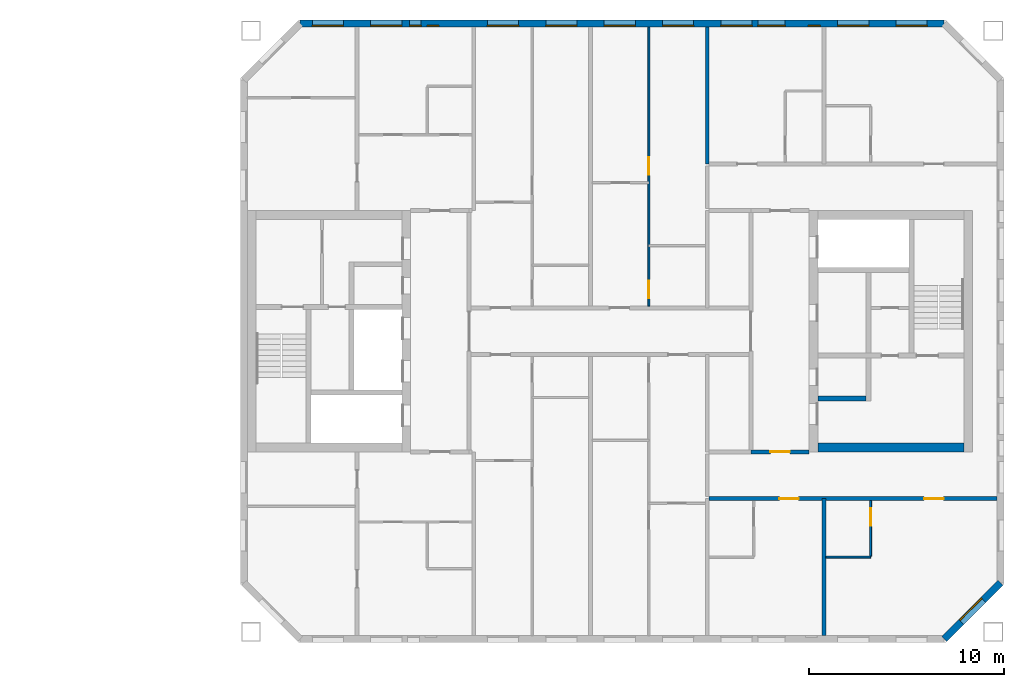
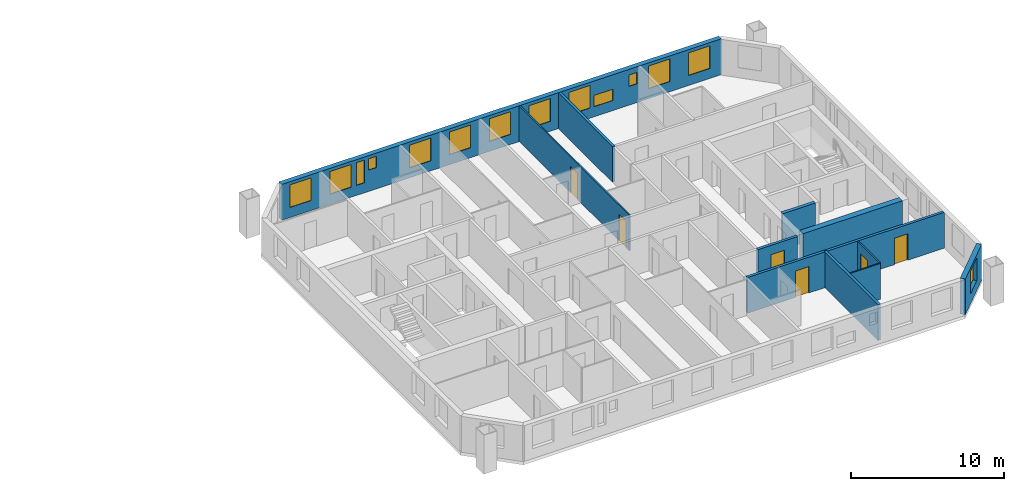
# One storey, part 12 of 16: 14 windows, 11 walls, 6 doors, 20 openings.
"""IFC4 building model written with IfcOpenShell, lengths in metres."""

from ifc_helpers import new_model, si_unit, direction, frame, frame_2d, origin, place, context, subcontext, project, spatial, rectangle, extrude, material, layer, layer_set, type_object, element, fill, save


model = new_model("IFC4")

# Units and contexts
model_context = context("Model", 3, precision=1e-05, world=origin(), true_north=direction((0.0, 1.0)))
body_context = subcontext(model_context, "Body", "Model", "MODEL_VIEW")
ifc_project = project(units=[si_unit("LENGTHUNIT", "METRE"), si_unit("AREAUNIT", "SQUARE_METRE"), si_unit("VOLUMEUNIT", "CUBIC_METRE"), si_unit("PLANEANGLEUNIT", "RADIAN"), si_unit("MASSUNIT", "GRAM", prefix="KILO")], contexts=[model_context])

# Site, building, storey
site_placement = place(None, origin())
site = spatial("IfcSite", under=ifc_project, at=site_placement, CompositionType="ELEMENT")
building_placement = place(site_placement, origin())
building = spatial("IfcBuilding", under=site, at=building_placement, Name="Tuart Gate Housing", CompositionType="ELEMENT")
storey_placement = place(building_placement, frame((0.0, 0.0, 182.0)))
storey = spatial("IfcBuildingStorey", under=building, at=storey_placement, Name="L51", CompositionType="ELEMENT", Elevation=182.0)

# Wall, opening, window
ifc_material_1 = material(Name="Brick", Category="masonry")
ifc_layer_1 = layer(ifc_material_1, 0.360107421875)
ifc_layer_set_1 = layer_set([ifc_layer_1], Name="Brick pier and spandrel wall 360")
wall_type_1 = type_object("IfcWallType", Name="Brick pier and spandrel wall 360", PredefinedType="STANDARD", material=ifc_layer_set_1)
wall_1_placement = place(storey_placement, frame((167.17529296875, 54.179931640625, 0.0), z_axis=(0.0, 0.0, 1.0), x_axis=(0.707106781187, 0.707106781187, 0.0)))
wall_1 = element("IfcWall", 1, at=wall_1_placement, inside=storey, type_object=wall_type_1, Name="External wall B-SE L51", PredefinedType="STANDARD", context=body_context, shape_type="SweptSolid", body=[
    extrude(rectangle(XDim=4.09375, YDim=0.360107421875, at=frame_2d((2.046875, 0.0))), origin(), (0.0, 0.0, 1.0), 2.85009765625),
])
opening_1_placement = place(wall_1_placement, frame((1.2470703125, 0.0, 0.800048828125)))
opening_1 = element("IfcOpeningElement", 2, at=opening_1_placement, cuts=wall_1, Name="Opening W1", PredefinedType="OPENING", context=body_context, shape_type="SweptSolid", body=[
    extrude(rectangle(XDim=1.60009765625, YDim=1.800048828125, at=frame_2d((0.800048828125, 0.89990234375))), frame((0.0, 0.18994140625, 0.0), z_axis=(0.0, -1.0, 0.0), x_axis=(1.0, 0.0, 0.0)), (0.0, 0.0, 1.0), 0.380126953125),
])
ifc_material_2 = material(Name="Aluminium frame with clear glass", Category="aluminium")
window_type_1 = type_object("IfcWindowType", Name="Punched window 1600 x 1800", PartitioningType="SINGLE_PANEL", PredefinedType="WINDOW", material=ifc_material_2)
window_1_placement = place(opening_1_placement, origin())
window_1 = element("IfcWindow", 3, at=window_1_placement, inside=storey, type_object=window_type_1, Name="Window W1", OverallHeight=1.800048828125, OverallWidth=1.60009765625, PartitioningType="SINGLE_PANEL", PredefinedType="WINDOW", context=body_context, shape_type="SweptSolid", body=[
    extrude(rectangle(XDim=1.60009765625, YDim=1.800048828125, at=frame_2d((0.800048828125, 0.89990234375))), frame((0.0, 0.150146484375, 0.0), z_axis=(0.0, -1.0, 0.0), x_axis=(1.0, 0.0, 0.0)), (0.0, 0.0, 1.0), 0.06005859375),
])
fill(opening_1, window_1)

# Wall, openings, windows
wall_2_placement = place(storey_placement, frame((167.17529296875, 85.820068359375, 0.0), z_axis=(0.0, 0.0, 1.0), x_axis=(-1.0, 0.0, 0.0)))
wall_2 = element("IfcWall", 4, at=wall_2_placement, inside=storey, type_object=wall_type_1, Name="External wall B-N L51", PredefinedType="STANDARD", context=body_context, shape_type="SweptSolid", body=[
    extrude(rectangle(XDim=33.100830078125, YDim=0.360107421875, at=frame_2d((16.55029296875, 0.0))), origin(), (0.0, 0.0, 1.0), 2.85009765625),
])
opening_2_placement = place(wall_2_placement, frame((0.87548828125, 0.0, 0.800048828125)))
opening_2 = element("IfcOpeningElement", 5, at=opening_2_placement, cuts=wall_2, Name="Opening W1", PredefinedType="OPENING", context=body_context, shape_type="SweptSolid", body=[
    extrude(rectangle(XDim=1.60009765625, YDim=1.800048828125, at=frame_2d((0.800048828125, 0.89990234375))), frame((0.0, 0.18994140625, 0.0), z_axis=(0.0, -1.0, 0.0), x_axis=(1.0, 0.0, 0.0)), (0.0, 0.0, 1.0), 0.380126953125),
])
opening_3_placement = place(wall_2_placement, frame((3.87548828125, 0.0, 0.800048828125)))
opening_3 = element("IfcOpeningElement", 6, at=opening_3_placement, cuts=wall_2, Name="Opening W1", PredefinedType="OPENING", context=body_context, shape_type="SweptSolid", body=[
    extrude(rectangle(XDim=1.60009765625, YDim=1.800048828125, at=frame_2d((0.800048828125, 0.89990234375))), frame((0.0, 0.18994140625, 0.0), z_axis=(0.0, -1.0, 0.0), x_axis=(1.0, 0.0, 0.0)), (0.0, 0.0, 1.0), 0.380126953125),
])
opening_4_placement = place(wall_2_placement, frame((6.37548828125, 0.0, 1.5)))
opening_4 = element("IfcOpeningElement", 7, at=opening_4_placement, cuts=wall_2, Name="Opening W1W", PredefinedType="OPENING", context=body_context, shape_type="SweptSolid", body=[
    extrude(rectangle(XDim=0.60009765625, YDim=0.89990234375, at=frame_2d((0.300048828125, 0.449951171875))), frame((0.0, 0.18994140625, 0.0), z_axis=(0.0, -1.0, 0.0), x_axis=(1.0, 0.0, 0.0)), (0.0, 0.0, 1.0), 0.380126953125),
])
opening_5_placement = place(wall_2_placement, frame((9.87548828125, 0.0, 0.800048828125)))
opening_5 = element("IfcOpeningElement", 8, at=opening_5_placement, cuts=wall_2, Name="Opening W1", PredefinedType="OPENING", context=body_context, shape_type="SweptSolid", body=[
    extrude(rectangle(XDim=1.60009765625, YDim=1.800048828125, at=frame_2d((0.800048828125, 0.89990234375))), frame((0.0, 0.18994140625, 0.0), z_axis=(0.0, -1.0, 0.0), x_axis=(1.0, 0.0, 0.0)), (0.0, 0.0, 1.0), 0.380126953125),
])
opening_6_placement = place(wall_2_placement, frame((12.87548828125, 0.0, 0.800048828125)))
opening_6 = element("IfcOpeningElement", 9, at=opening_6_placement, cuts=wall_2, Name="Opening W1", PredefinedType="OPENING", context=body_context, shape_type="SweptSolid", body=[
    extrude(rectangle(XDim=1.60009765625, YDim=1.800048828125, at=frame_2d((0.800048828125, 0.89990234375))), frame((0.0, 0.18994140625, 0.0), z_axis=(0.0, -1.0, 0.0), x_axis=(1.0, 0.0, 0.0)), (0.0, 0.0, 1.0), 0.380126953125),
])
opening_7_placement = place(wall_2_placement, frame((15.87548828125, 0.0, 0.800048828125)))
opening_7 = element("IfcOpeningElement", 10, at=opening_7_placement, cuts=wall_2, Name="Opening W1", PredefinedType="OPENING", context=body_context, shape_type="SweptSolid", body=[
    extrude(rectangle(XDim=1.60009765625, YDim=1.800048828125, at=frame_2d((0.800048828125, 0.89990234375))), frame((0.0, 0.18994140625, 0.0), z_axis=(0.0, -1.0, 0.0), x_axis=(1.0, 0.0, 0.0)), (0.0, 0.0, 1.0), 0.380126953125),
])
opening_8_placement = place(wall_2_placement, frame((18.87548828125, 0.0, 0.800048828125)))
opening_8 = element("IfcOpeningElement", 11, at=opening_8_placement, cuts=wall_2, Name="Opening W1", PredefinedType="OPENING", context=body_context, shape_type="SweptSolid", body=[
    extrude(rectangle(XDim=1.60009765625, YDim=1.800048828125, at=frame_2d((0.800048828125, 0.89990234375))), frame((0.0, 0.18994140625, 0.0), z_axis=(0.0, -1.0, 0.0), x_axis=(1.0, 0.0, 0.0)), (0.0, 0.0, 1.0), 0.380126953125),
])
opening_9_placement = place(wall_2_placement, frame((21.87548828125, 0.0, 0.800048828125)))
opening_9 = element("IfcOpeningElement", 12, at=opening_9_placement, cuts=wall_2, Name="Opening W1", PredefinedType="OPENING", context=body_context, shape_type="SweptSolid", body=[
    extrude(rectangle(XDim=1.60009765625, YDim=1.800048828125, at=frame_2d((0.800048828125, 0.89990234375))), frame((0.0, 0.18994140625, 0.0), z_axis=(0.0, -1.0, 0.0), x_axis=(1.0, 0.0, 0.0)), (0.0, 0.0, 1.0), 0.380126953125),
])
opening_10_placement = place(wall_2_placement, frame((25.975341796875, 0.0, 1.699951171875)))
opening_10 = element("IfcOpeningElement", 13, at=opening_10_placement, cuts=wall_2, Name="Opening W1W", PredefinedType="OPENING", context=body_context, shape_type="SweptSolid", body=[
    extrude(rectangle(XDim=0.60009765625, YDim=0.89990234375, at=frame_2d((0.300048828125, 0.449951171875))), frame((0.0, 0.18994140625, 0.0), z_axis=(0.0, -1.0, 0.0), x_axis=(1.0, 0.0, 0.0)), (0.0, 0.0, 1.0), 0.380126953125),
])
opening_11_placement = place(wall_2_placement, frame((27.87548828125, 0.0, 0.800048828125)))
opening_11 = element("IfcOpeningElement", 14, at=opening_11_placement, cuts=wall_2, Name="Opening W1", PredefinedType="OPENING", context=body_context, shape_type="SweptSolid", body=[
    extrude(rectangle(XDim=1.60009765625, YDim=1.800048828125, at=frame_2d((0.800048828125, 0.89990234375))), frame((0.0, 0.18994140625, 0.0), z_axis=(0.0, -1.0, 0.0), x_axis=(1.0, 0.0, 0.0)), (0.0, 0.0, 1.0), 0.380126953125),
])
opening_12_placement = place(wall_2_placement, frame((30.87548828125, 0.0, 0.800048828125)))
opening_12 = element("IfcOpeningElement", 15, at=opening_12_placement, cuts=wall_2, Name="Opening W1", PredefinedType="OPENING", context=body_context, shape_type="SweptSolid", body=[
    extrude(rectangle(XDim=1.60009765625, YDim=1.800048828125, at=frame_2d((0.800048828125, 0.89990234375))), frame((0.0, 0.18994140625, 0.0), z_axis=(0.0, -1.0, 0.0), x_axis=(1.0, 0.0, 0.0)), (0.0, 0.0, 1.0), 0.380126953125),
])
opening_13_placement = place(wall_2_placement, frame((8.17529296875, 0.0, 0.800048828125)))
opening_13 = element("IfcOpeningElement", 16, at=opening_13_placement, cuts=wall_2, Name="Opening W1S", PredefinedType="OPENING", context=body_context, shape_type="SweptSolid", body=[
    extrude(rectangle(XDim=1.39990234375, YDim=0.89990234375, at=frame_2d((0.699951171875, 0.449951171875))), frame((0.0, 0.18994140625, 0.0), z_axis=(0.0, -1.0, 0.0), x_axis=(1.0, 0.0, 0.0)), (0.0, 0.0, 1.0), 0.380126953125),
])
opening_14_placement = place(wall_2_placement, frame((26.87548828125, 0.0, 0.800048828125)))
opening_14 = element("IfcOpeningElement", 17, at=opening_14_placement, cuts=wall_2, Name="Opening W1E", PredefinedType="OPENING", context=body_context, shape_type="SweptSolid", body=[
    extrude(rectangle(XDim=0.60009765625, YDim=1.800048828125, at=frame_2d((0.300048828125, 0.89990234375))), frame((0.0, 0.18994140625, 0.0), z_axis=(0.0, -1.0, 0.0), x_axis=(1.0, 0.0, 0.0)), (0.0, 0.0, 1.0), 0.380126953125),
])
ifc_material_3 = material(Name="Aluminium frame with clear glass", Category="aluminium")
window_type_2 = type_object("IfcWindowType", Name="Punched window 1400 x 900", PartitioningType="SINGLE_PANEL", PredefinedType="WINDOW", material=ifc_material_3)
window_2_placement = place(opening_13_placement, origin())
window_2 = element("IfcWindow", 18, at=window_2_placement, inside=storey, type_object=window_type_2, Name="Window W1S", OverallHeight=0.89990234375, OverallWidth=1.39990234375, PartitioningType="SINGLE_PANEL", PredefinedType="WINDOW", context=body_context, shape_type="SweptSolid", body=[
    extrude(rectangle(XDim=1.39990234375, YDim=0.89990234375, at=frame_2d((0.699951171875, 0.449951171875))), frame((0.0, 0.150146484375, 0.0), z_axis=(0.0, -1.0, 0.0), x_axis=(1.0, 0.0, 0.0)), (0.0, 0.0, 1.0), 0.06005859375),
])
fill(opening_13, window_2)
window_3_placement = place(opening_2_placement, origin())
window_3 = element("IfcWindow", 19, at=window_3_placement, inside=storey, type_object=window_type_1, Name="Window W1", OverallHeight=1.800048828125, OverallWidth=1.60009765625, PartitioningType="SINGLE_PANEL", PredefinedType="WINDOW", context=body_context, shape_type="SweptSolid", body=[
    extrude(rectangle(XDim=1.60009765625, YDim=1.800048828125, at=frame_2d((0.800048828125, 0.89990234375))), frame((0.0, 0.150146484375, 0.0), z_axis=(0.0, -1.0, 0.0), x_axis=(1.0, 0.0, 0.0)), (0.0, 0.0, 1.0), 0.06005859375),
])
fill(opening_2, window_3)
window_4_placement = place(opening_3_placement, origin())
window_4 = element("IfcWindow", 20, at=window_4_placement, inside=storey, type_object=window_type_1, Name="Window W1", OverallHeight=1.800048828125, OverallWidth=1.60009765625, PartitioningType="SINGLE_PANEL", PredefinedType="WINDOW", context=body_context, shape_type="SweptSolid", body=[
    extrude(rectangle(XDim=1.60009765625, YDim=1.800048828125, at=frame_2d((0.800048828125, 0.89990234375))), frame((0.0, 0.150146484375, 0.0), z_axis=(0.0, -1.0, 0.0), x_axis=(1.0, 0.0, 0.0)), (0.0, 0.0, 1.0), 0.06005859375),
])
fill(opening_3, window_4)
window_5_placement = place(opening_5_placement, origin())
window_5 = element("IfcWindow", 21, at=window_5_placement, inside=storey, type_object=window_type_1, Name="Window W1", OverallHeight=1.800048828125, OverallWidth=1.60009765625, PartitioningType="SINGLE_PANEL", PredefinedType="WINDOW", context=body_context, shape_type="SweptSolid", body=[
    extrude(rectangle(XDim=1.60009765625, YDim=1.800048828125, at=frame_2d((0.800048828125, 0.89990234375))), frame((0.0, 0.150146484375, 0.0), z_axis=(0.0, -1.0, 0.0), x_axis=(1.0, 0.0, 0.0)), (0.0, 0.0, 1.0), 0.06005859375),
])
fill(opening_5, window_5)
window_6_placement = place(opening_6_placement, origin())
window_6 = element("IfcWindow", 22, at=window_6_placement, inside=storey, type_object=window_type_1, Name="Window W1", OverallHeight=1.800048828125, OverallWidth=1.60009765625, PartitioningType="SINGLE_PANEL", PredefinedType="WINDOW", context=body_context, shape_type="SweptSolid", body=[
    extrude(rectangle(XDim=1.60009765625, YDim=1.800048828125, at=frame_2d((0.800048828125, 0.89990234375))), frame((0.0, 0.150146484375, 0.0), z_axis=(0.0, -1.0, 0.0), x_axis=(1.0, 0.0, 0.0)), (0.0, 0.0, 1.0), 0.06005859375),
])
fill(opening_6, window_6)
window_7_placement = place(opening_7_placement, origin())
window_7 = element("IfcWindow", 23, at=window_7_placement, inside=storey, type_object=window_type_1, Name="Window W1", OverallHeight=1.800048828125, OverallWidth=1.60009765625, PartitioningType="SINGLE_PANEL", PredefinedType="WINDOW", context=body_context, shape_type="SweptSolid", body=[
    extrude(rectangle(XDim=1.60009765625, YDim=1.800048828125, at=frame_2d((0.800048828125, 0.89990234375))), frame((0.0, 0.150146484375, 0.0), z_axis=(0.0, -1.0, 0.0), x_axis=(1.0, 0.0, 0.0)), (0.0, 0.0, 1.0), 0.06005859375),
])
fill(opening_7, window_7)
window_8_placement = place(opening_8_placement, origin())
window_8 = element("IfcWindow", 24, at=window_8_placement, inside=storey, type_object=window_type_1, Name="Window W1", OverallHeight=1.800048828125, OverallWidth=1.60009765625, PartitioningType="SINGLE_PANEL", PredefinedType="WINDOW", context=body_context, shape_type="SweptSolid", body=[
    extrude(rectangle(XDim=1.60009765625, YDim=1.800048828125, at=frame_2d((0.800048828125, 0.89990234375))), frame((0.0, 0.150146484375, 0.0), z_axis=(0.0, -1.0, 0.0), x_axis=(1.0, 0.0, 0.0)), (0.0, 0.0, 1.0), 0.06005859375),
])
fill(opening_8, window_8)
window_9_placement = place(opening_9_placement, origin())
window_9 = element("IfcWindow", 25, at=window_9_placement, inside=storey, type_object=window_type_1, Name="Window W1", OverallHeight=1.800048828125, OverallWidth=1.60009765625, PartitioningType="SINGLE_PANEL", PredefinedType="WINDOW", context=body_context, shape_type="SweptSolid", body=[
    extrude(rectangle(XDim=1.60009765625, YDim=1.800048828125, at=frame_2d((0.800048828125, 0.89990234375))), frame((0.0, 0.150146484375, 0.0), z_axis=(0.0, -1.0, 0.0), x_axis=(1.0, 0.0, 0.0)), (0.0, 0.0, 1.0), 0.06005859375),
])
fill(opening_9, window_9)
window_10_placement = place(opening_11_placement, origin())
window_10 = element("IfcWindow", 26, at=window_10_placement, inside=storey, type_object=window_type_1, Name="Window W1", OverallHeight=1.800048828125, OverallWidth=1.60009765625, PartitioningType="SINGLE_PANEL", PredefinedType="WINDOW", context=body_context, shape_type="SweptSolid", body=[
    extrude(rectangle(XDim=1.60009765625, YDim=1.800048828125, at=frame_2d((0.800048828125, 0.89990234375))), frame((0.0, 0.150146484375, 0.0), z_axis=(0.0, -1.0, 0.0), x_axis=(1.0, 0.0, 0.0)), (0.0, 0.0, 1.0), 0.06005859375),
])
fill(opening_11, window_10)
window_11_placement = place(opening_12_placement, origin())
window_11 = element("IfcWindow", 27, at=window_11_placement, inside=storey, type_object=window_type_1, Name="Window W1", OverallHeight=1.800048828125, OverallWidth=1.60009765625, PartitioningType="SINGLE_PANEL", PredefinedType="WINDOW", context=body_context, shape_type="SweptSolid", body=[
    extrude(rectangle(XDim=1.60009765625, YDim=1.800048828125, at=frame_2d((0.800048828125, 0.89990234375))), frame((0.0, 0.150146484375, 0.0), z_axis=(0.0, -1.0, 0.0), x_axis=(1.0, 0.0, 0.0)), (0.0, 0.0, 1.0), 0.06005859375),
])
fill(opening_12, window_11)
ifc_material_4 = material(Name="Aluminium frame with clear glass", Category="aluminium")
window_type_3 = type_object("IfcWindowType", Name="Punched window 600 x 1800", PartitioningType="SINGLE_PANEL", PredefinedType="WINDOW", material=ifc_material_4)
window_12_placement = place(opening_14_placement, origin())
window_12 = element("IfcWindow", 28, at=window_12_placement, inside=storey, type_object=window_type_3, Name="Window W1E", OverallHeight=1.800048828125, OverallWidth=0.60009765625, PartitioningType="SINGLE_PANEL", PredefinedType="WINDOW", context=body_context, shape_type="SweptSolid", body=[
    extrude(rectangle(XDim=0.60009765625, YDim=1.800048828125, at=frame_2d((0.300048828125, 0.89990234375))), frame((0.0, 0.150146484375, 0.0), z_axis=(0.0, -1.0, 0.0), x_axis=(1.0, 0.0, 0.0)), (0.0, 0.0, 1.0), 0.06005859375),
])
fill(opening_14, window_12)
ifc_material_5 = material(Name="Aluminium frame with clear glass", Category="aluminium")
window_type_4 = type_object("IfcWindowType", Name="Punched window 600 x 900", PartitioningType="SINGLE_PANEL", PredefinedType="WINDOW", material=ifc_material_5)
window_13_placement = place(opening_4_placement, origin())
window_13 = element("IfcWindow", 29, at=window_13_placement, inside=storey, type_object=window_type_4, Name="Window W1W", OverallHeight=0.89990234375, OverallWidth=0.60009765625, PartitioningType="SINGLE_PANEL", PredefinedType="WINDOW", context=body_context, shape_type="SweptSolid", body=[
    extrude(rectangle(XDim=0.60009765625, YDim=0.89990234375, at=frame_2d((0.300048828125, 0.449951171875))), frame((0.0, 0.150146484375, 0.0), z_axis=(0.0, -1.0, 0.0), x_axis=(1.0, 0.0, 0.0)), (0.0, 0.0, 1.0), 0.06005859375),
])
fill(opening_4, window_13)
window_14_placement = place(opening_10_placement, origin())
window_14 = element("IfcWindow", 30, at=window_14_placement, inside=storey, type_object=window_type_4, Name="Window W1W", OverallHeight=0.89990234375, OverallWidth=0.60009765625, PartitioningType="SINGLE_PANEL", PredefinedType="WINDOW", context=body_context, shape_type="SweptSolid", body=[
    extrude(rectangle(XDim=0.60009765625, YDim=0.89990234375, at=frame_2d((0.300048828125, 0.449951171875))), frame((0.0, 0.150146484375, 0.0), z_axis=(0.0, -1.0, 0.0), x_axis=(1.0, 0.0, 0.0)), (0.0, 0.0, 1.0), 0.06005859375),
])
fill(opening_10, window_14)

# Walls
ifc_material_6 = material(Name="Concrete C40", Category="concrete")
ifc_layer_2 = layer(ifc_material_6, 0.25)
ifc_layer_set_2 = layer_set([ifc_layer_2], Name="Core wall 250 C40")
wall_type_2 = type_object("IfcWallType", Name="Core wall 250 C40", PredefinedType="SHEAR", material=ifc_layer_set_2)
wall_3_placement = place(storey_placement, frame((160.68994140625, 66.550048828125, 0.0), z_axis=(0.0, 0.0, 1.0), x_axis=(1.0, 0.0, 0.0)))
element("IfcWall", 31, at=wall_3_placement, inside=storey, type_object=wall_type_2, Name="Core wall BK.4", PredefinedType="SHEAR", context=body_context, shape_type="SweptSolid", body=[
    extrude(rectangle(XDim=2.47509765625, YDim=0.25, at=frame_2d((1.237548828125, 0.0))), origin(), (0.0, 0.0, 1.0), 2.85009765625),
])
ifc_material_7 = material(Name="Concrete C40", Category="concrete")
ifc_layer_3 = layer(ifc_material_7, 0.449951171875)
ifc_layer_set_3 = layer_set([ifc_layer_3], Name="Core wall 450 C40")
wall_type_3 = type_object("IfcWallType", Name="Core wall 450 C40", PredefinedType="SHEAR", material=ifc_layer_set_3)
wall_4_placement = place(storey_placement, frame((160.68994140625, 64.02490234375, 0.0), z_axis=(0.0, 0.0, 1.0), x_axis=(1.0, 0.0, 0.0)))
element("IfcWall", 32, at=wall_4_placement, inside=storey, type_object=wall_type_3, Name="Core wall BK north", PredefinedType="SHEAR", context=body_context, shape_type="SweptSolid", body=[
    extrude(rectangle(XDim=7.5, YDim=0.449951171875, at=frame_2d((3.75, 0.0))), origin(), (0.0, 0.0, 1.0), 2.85009765625),
])

# Wall, openings, doors
ifc_material_8 = material(Name="Concrete masonry 15 MPa", Category="masonry")
ifc_layer_4 = layer(ifc_material_8, 0.199951171875)
ifc_layer_set_4 = layer_set([ifc_layer_4], Name="Corridor wall masonry 200")
wall_type_4 = type_object("IfcWallType", Name="Corridor wall masonry 200", PredefinedType="PARTITIONING", material=ifc_layer_set_4)
wall_5_placement = place(storey_placement, frame((155.10009765625, 61.39990234375, 0.0), z_axis=(0.0, 0.0, 1.0), x_axis=(1.0, 0.0, 0.0)))
wall_5 = element("IfcWall", 33, at=wall_5_placement, inside=storey, type_object=wall_type_4, Name="Corridor wall masonry 200", PredefinedType="PARTITIONING", context=body_context, shape_type="SweptSolid", body=[
    extrude(rectangle(XDim=14.789794921875, YDim=0.199951171875, at=frame_2d((7.39501953125, 0.0))), origin(), (0.0, 0.0, 1.0), 2.85009765625),
])
opening_15_placement = place(wall_5_placement, frame((3.60009765625, 0.0, 0.0)))
opening_15 = element("IfcOpeningElement", 34, at=opening_15_placement, cuts=wall_5, Name="Opening D1831", PredefinedType="OPENING", context=body_context, shape_type="SweptSolid", body=[
    extrude(rectangle(XDim=1.0, YDim=2.10009765625, at=frame_2d((0.5, 1.050048828125))), frame((0.0, 0.10986328125, 0.0), z_axis=(0.0, -1.0, 0.0), x_axis=(1.0, 0.0, 0.0)), (0.0, 0.0, 1.0), 0.219970703125),
])
opening_16_placement = place(wall_5_placement, frame((11.044921875, 0.0, 0.0)))
opening_16 = element("IfcOpeningElement", 35, at=opening_16_placement, cuts=wall_5, Name="Opening D1832", PredefinedType="OPENING", context=body_context, shape_type="SweptSolid", body=[
    extrude(rectangle(XDim=1.0, YDim=2.10009765625, at=frame_2d((0.5, 1.050048828125))), frame((0.0, 0.10986328125, 0.0), z_axis=(0.0, -1.0, 0.0), x_axis=(1.0, 0.0, 0.0)), (0.0, 0.0, 1.0), 0.219970703125),
])
ifc_material_9 = material(Name="Timber door leaf in steel frame", Category="steel")
door_type_1 = type_object("IfcDoorType", Name="Flat entrance door 1000 RH", OperationType="SINGLE_SWING_RIGHT", PredefinedType="DOOR", material=ifc_material_9)
door_1_placement = place(opening_15_placement, frame((1.0, 0.0, 0.0), z_axis=(0.0, 0.0, 1.0), x_axis=(-1.0, 0.0, 0.0)))
door_1 = element("IfcDoor", 36, at=door_1_placement, inside=storey, type_object=door_type_1, Name="Flat entrance door", OperationType="SINGLE_SWING_RIGHT", OverallHeight=2.10009765625, OverallWidth=1.0, PredefinedType="DOOR", context=body_context, shape_type="SweptSolid", body=[
    extrude(rectangle(XDim=1.0, YDim=2.10009765625, at=frame_2d((0.5, 1.050048828125))), frame((0.0, 0.025146484375, 0.0), z_axis=(0.0, -1.0, 0.0), x_axis=(1.0, 0.0, 0.0)), (0.0, 0.0, 1.0), 0.050048828125),
])
fill(opening_15, door_1)
door_2_placement = place(opening_16_placement, frame((1.0, 0.0, 0.0), z_axis=(0.0, 0.0, 1.0), x_axis=(-1.0, 0.0, 0.0)))
door_2 = element("IfcDoor", 37, at=door_2_placement, inside=storey, type_object=door_type_1, Name="Flat entrance door", OperationType="SINGLE_SWING_RIGHT", OverallHeight=2.10009765625, OverallWidth=1.0, PredefinedType="DOOR", context=body_context, shape_type="SweptSolid", body=[
    extrude(rectangle(XDim=1.0, YDim=2.10009765625, at=frame_2d((0.5, 1.050048828125))), frame((0.0, 0.025146484375, 0.0), z_axis=(0.0, -1.0, 0.0), x_axis=(1.0, 0.0, 0.0)), (0.0, 0.0, 1.0), 0.050048828125),
])
fill(opening_16, door_2)

# Wall, opening, door
ifc_material_10 = material(Name="Concrete masonry 15 MPa", Category="masonry")
ifc_layer_5 = layer(ifc_material_10, 0.199951171875)
ifc_layer_set_5 = layer_set([ifc_layer_5], Name="Enclosure wall masonry 200")
wall_type_5 = type_object("IfcWallType", Name="Enclosure wall masonry 200", PredefinedType="PARTITIONING", material=ifc_layer_set_5)
wall_6_placement = place(storey_placement, frame((157.239990234375, 63.800048828125, 0.0), z_axis=(0.0, 0.0, 1.0), x_axis=(1.0, 0.0, 0.0)))
wall_6 = element("IfcWall", 38, at=wall_6_placement, inside=storey, type_object=wall_type_5, Name="Enclosure wall masonry 200", PredefinedType="PARTITIONING", context=body_context, shape_type="SweptSolid", body=[
    extrude(rectangle(XDim=3.0, YDim=0.199951171875, at=frame_2d((1.5, 0.0))), origin(), (0.0, 0.0, 1.0), 2.85009765625),
])
opening_17_placement = place(wall_6_placement, frame((1.0, 0.0, 0.0)))
opening_17 = element("IfcOpeningElement", 39, at=opening_17_placement, cuts=wall_6, Name="Opening D1825", PredefinedType="OPENING", context=body_context, shape_type="SweptSolid", body=[
    extrude(rectangle(XDim=1.0, YDim=2.10009765625, at=frame_2d((0.5, 1.050048828125))), frame((0.0, 0.10986328125, 0.0), z_axis=(0.0, -1.0, 0.0), x_axis=(1.0, 0.0, 0.0)), (0.0, 0.0, 1.0), 0.219970703125),
])
ifc_material_11 = material(Name="Timber door leaf in steel frame", Category="steel")
door_type_2 = type_object("IfcDoorType", Name="Fire door 1000 RH", OperationType="SINGLE_SWING_RIGHT", PredefinedType="DOOR", material=ifc_material_11)
door_3_placement = place(opening_17_placement, frame((1.0, 0.0, 0.0), z_axis=(0.0, 0.0, 1.0), x_axis=(-1.0, 0.0, 0.0)))
door_3 = element("IfcDoor", 40, at=door_3_placement, inside=storey, type_object=door_type_2, Name="Fire door", OperationType="SINGLE_SWING_RIGHT", OverallHeight=2.10009765625, OverallWidth=1.0, PredefinedType="DOOR", context=body_context, shape_type="SweptSolid", body=[
    extrude(rectangle(XDim=1.0, YDim=2.10009765625, at=frame_2d((0.5, 1.050048828125))), frame((0.0, 0.025146484375, 0.0), z_axis=(0.0, -1.0, 0.0), x_axis=(1.0, 0.0, 0.0)), (0.0, 0.0, 1.0), 0.050048828125),
])
fill(opening_17, door_3)

# Wall
ifc_material_12 = material(Name="Gypsum board on steel studs", Category="steel")
ifc_layer_6 = layer(ifc_material_12, 0.10009765625)
ifc_layer_set_6 = layer_set([ifc_layer_6], Name="Partition 100")
wall_type_6 = type_object("IfcWallType", Name="Partition 100", PredefinedType="PARTITIONING", material=ifc_layer_set_6)
wall_7_placement = place(storey_placement, frame((161.10009765625, 58.39990234375, 0.0), z_axis=(0.0, 0.0, 1.0), x_axis=(1.0, 0.0, 0.0)))
element("IfcWall", 41, at=wall_7_placement, inside=storey, type_object=wall_type_6, Name="Partition 100", PredefinedType="PARTITIONING", context=body_context, shape_type="SweptSolid", body=[
    extrude(rectangle(XDim=2.2998046875, YDim=0.10009765625, at=frame_2d((1.14990234375, 0.0))), origin(), (0.0, 0.0, 1.0), 2.85009765625),
])

# Wall, openings, doors
wall_8_placement = place(storey_placement, frame((152.0, 71.300048828125, 0.0), z_axis=(0.0, 0.0, 1.0), x_axis=(0.0, 1.0, 0.0)))
wall_8 = element("IfcWall", 42, at=wall_8_placement, inside=storey, type_object=wall_type_6, Name="Partition 100", PredefinedType="PARTITIONING", context=body_context, shape_type="SweptSolid", body=[
    extrude(rectangle(XDim=14.33984375, YDim=0.10009765625, at=frame_2d((7.169921875, 0.0))), origin(), (0.0, 0.0, 1.0), 2.85009765625),
])
opening_18_placement = place(wall_8_placement, frame((6.739990234375, 0.0, 0.0)))
opening_18 = element("IfcOpeningElement", 43, at=opening_18_placement, cuts=wall_8, Name="Opening D1802", PredefinedType="OPENING", context=body_context, shape_type="SweptSolid", body=[
    extrude(rectangle(XDim=0.89990234375, YDim=2.10009765625, at=frame_2d((0.449951171875, 1.050048828125))), frame((0.0, 0.06005859375, 0.0), z_axis=(0.0, -1.0, 0.0), x_axis=(1.0, 0.0, 0.0)), (0.0, 0.0, 1.0), 0.1201171875),
])
opening_19_placement = place(wall_8_placement, frame((0.39990234375, 0.0, 0.0)))
opening_19 = element("IfcOpeningElement", 44, at=opening_19_placement, cuts=wall_8, Name="Opening D1801", PredefinedType="OPENING", context=body_context, shape_type="SweptSolid", body=[
    extrude(rectangle(XDim=0.89990234375, YDim=2.10009765625, at=frame_2d((0.449951171875, 1.050048828125))), frame((0.0, 0.06005859375, 0.0), z_axis=(0.0, -1.0, 0.0), x_axis=(1.0, 0.0, 0.0)), (0.0, 0.0, 1.0), 0.1201171875),
])
ifc_material_13 = material(Name="Timber door leaf in steel frame", Category="steel")
door_type_3 = type_object("IfcDoorType", Name="Bathroom door 900 RH", OperationType="SINGLE_SWING_RIGHT", PredefinedType="DOOR", material=ifc_material_13)
door_4_placement = place(opening_19_placement, frame((0.89990234375, 0.0, 0.0), z_axis=(0.0, 0.0, 1.0), x_axis=(-1.0, 0.0, 0.0)))
door_4 = element("IfcDoor", 45, at=door_4_placement, inside=storey, type_object=door_type_3, Name="Bathroom door", OperationType="SINGLE_SWING_RIGHT", OverallHeight=2.10009765625, OverallWidth=0.89990234375, PredefinedType="DOOR", context=body_context, shape_type="SweptSolid", body=[
    extrude(rectangle(XDim=0.89990234375, YDim=2.10009765625, at=frame_2d((0.449951171875, 1.050048828125))), frame((0.0, 0.025146484375, 0.0), z_axis=(0.0, -1.0, 0.0), x_axis=(1.0, 0.0, 0.0)), (0.0, 0.0, 1.0), 0.050048828125),
])
fill(opening_19, door_4)
ifc_material_14 = material(Name="Timber door leaf in steel frame", Category="steel")
door_type_4 = type_object("IfcDoorType", Name="Internal door 900 RH", OperationType="SINGLE_SWING_RIGHT", PredefinedType="DOOR", material=ifc_material_14)
door_5_placement = place(opening_18_placement, frame((0.89990234375, 0.0, 0.0), z_axis=(0.0, 0.0, 1.0), x_axis=(-1.0, 0.0, 0.0)))
door_5 = element("IfcDoor", 46, at=door_5_placement, inside=storey, type_object=door_type_4, Name="Internal door", OperationType="SINGLE_SWING_RIGHT", OverallHeight=2.10009765625, OverallWidth=0.89990234375, PredefinedType="DOOR", context=body_context, shape_type="SweptSolid", body=[
    extrude(rectangle(XDim=0.89990234375, YDim=2.10009765625, at=frame_2d((0.449951171875, 1.050048828125))), frame((0.0, 0.025146484375, 0.0), z_axis=(0.0, -1.0, 0.0), x_axis=(1.0, 0.0, 0.0)), (0.0, 0.0, 1.0), 0.050048828125),
])
fill(opening_18, door_5)

# Wall, opening, door
wall_9_placement = place(storey_placement, frame((163.39990234375, 58.449951171875, 0.0), z_axis=(0.0, 0.0, 1.0), x_axis=(0.0, 1.0, 0.0)))
wall_9 = element("IfcWall", 47, at=wall_9_placement, inside=storey, type_object=wall_type_6, Name="Partition 100", PredefinedType="PARTITIONING", context=body_context, shape_type="SweptSolid", body=[
    extrude(rectangle(XDim=2.85009765625, YDim=0.10009765625, at=frame_2d((1.425048828125, 0.0))), origin(), (0.0, 0.0, 1.0), 2.85009765625),
])
opening_20_placement = place(wall_9_placement, frame((1.550048828125, 0.0, 0.0)))
opening_20 = element("IfcOpeningElement", 48, at=opening_20_placement, cuts=wall_9, Name="Opening D1837", PredefinedType="OPENING", context=body_context, shape_type="SweptSolid", body=[
    extrude(rectangle(XDim=0.89990234375, YDim=2.10009765625, at=frame_2d((0.449951171875, 1.050048828125))), frame((0.0, 0.06005859375, 0.0), z_axis=(0.0, -1.0, 0.0), x_axis=(1.0, 0.0, 0.0)), (0.0, 0.0, 1.0), 0.1201171875),
])
door_6_placement = place(opening_20_placement, origin())
door_6 = element("IfcDoor", 49, at=door_6_placement, inside=storey, type_object=door_type_3, Name="Bathroom door", OperationType="SINGLE_SWING_RIGHT", OverallHeight=2.10009765625, OverallWidth=0.89990234375, PredefinedType="DOOR", context=body_context, shape_type="SweptSolid", body=[
    extrude(rectangle(XDim=0.89990234375, YDim=2.10009765625, at=frame_2d((0.449951171875, 1.050048828125))), frame((0.0, 0.02490234375, 0.0), z_axis=(0.0, -1.0, 0.0), x_axis=(1.0, 0.0, 0.0)), (0.0, 0.0, 1.0), 0.050048828125),
])
fill(opening_20, door_6)

# Walls
ifc_material_15 = material(Name="Concrete C40", Category="concrete")
ifc_layer_7 = layer(ifc_material_15, 0.199951171875)
ifc_layer_set_7 = layer_set([ifc_layer_7], Name="Party wall concrete C40 200")
wall_type_7 = type_object("IfcWallType", Name="Party wall concrete C40 200", PredefinedType="SOLIDWALL", material=ifc_layer_set_7)
for number, where, z_axis, x_axis, name in (
    (50, (155.0, 78.60009765625, 0.0), (0.0, 0.0, 1.0), (0.0, 1.0, 0.0), "Party wall concrete C40 200"),
    (51, (161.0, 54.360107421875, 0.0), (0.0, 0.0, 1.0), (0.0, 1.0, 0.0), "Party wall concrete C40 200"),
):
    element("IfcWall", number, at=place(storey_placement, frame(where, z_axis=z_axis, x_axis=x_axis)), inside=storey, type_object=wall_type_7, Name=name, PredefinedType="SOLIDWALL", context=body_context, shape_type="SweptSolid", body=[
        extrude(rectangle(XDim=7.039794921875, YDim=0.199951171875, at=frame_2d((3.52001953125, 0.0))), origin(), (0.0, 0.0, 1.0), 2.85009765625),
    ])

save(model, "model.ifc")
